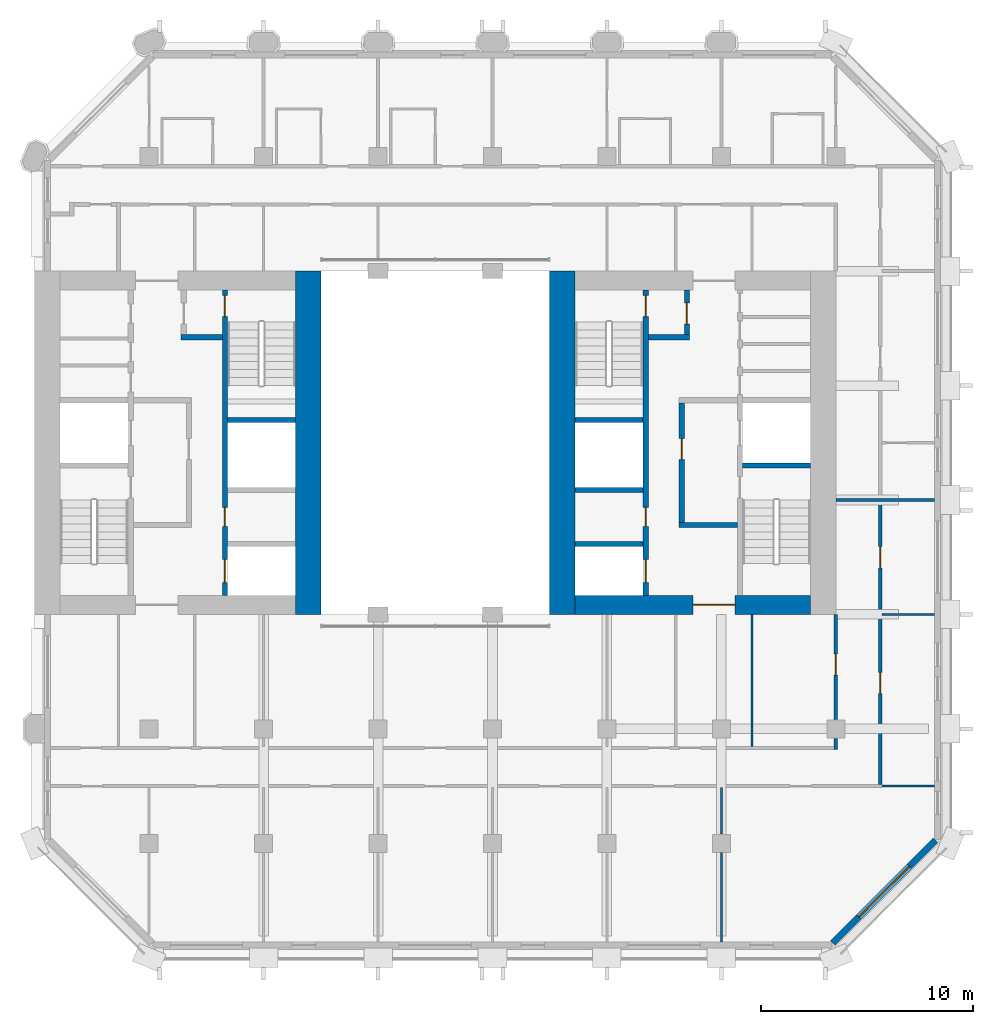
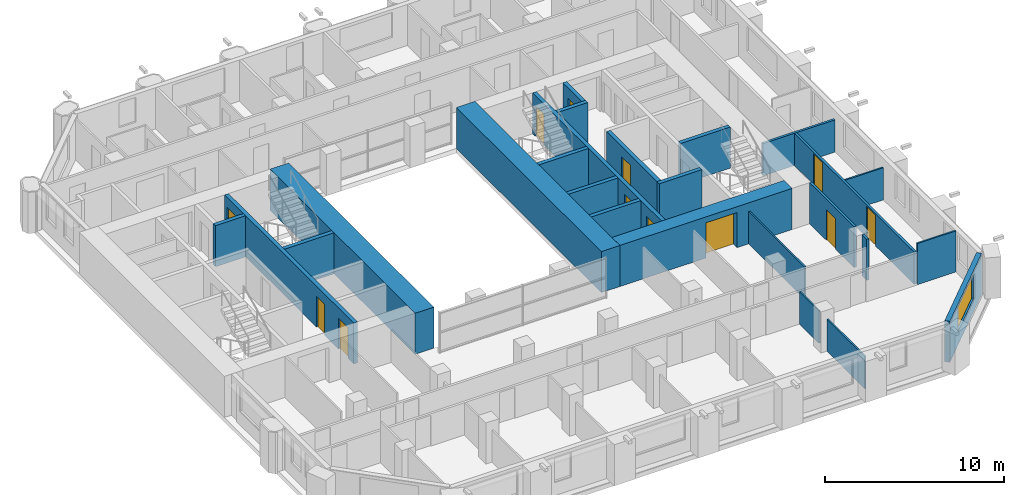
# One storey, part 7 of 12: 25 walls, 12 doors, 1 window, 13 openings.
"""IFC4 building model written with IfcOpenShell, lengths in metres."""

from ifc_helpers import new_model, si_unit, direction, frame, frame_2d, origin, place, context, subcontext, project, spatial, rectangle, extrude, material, layer, layer_set, type_object, element, fill, save


model = new_model("IFC4")

# Units and contexts
model_context = context("Model", 3, precision=1e-05, world=origin(), true_north=direction((0.0, 1.0)))
body_context = subcontext(model_context, "Body", "Model", "MODEL_VIEW")
ifc_project = project(units=[si_unit("LENGTHUNIT", "METRE"), si_unit("AREAUNIT", "SQUARE_METRE"), si_unit("VOLUMEUNIT", "CUBIC_METRE"), si_unit("PLANEANGLEUNIT", "RADIAN"), si_unit("MASSUNIT", "GRAM", prefix="KILO")], contexts=[model_context])

# Site, building, storey
site_placement = place(None, origin())
site = spatial("IfcSite", under=ifc_project, at=site_placement, CompositionType="ELEMENT")
building_placement = place(site_placement, origin())
building = spatial("IfcBuilding", under=site, at=building_placement, Name="Tabaq Tower and Sports Hall", CompositionType="ELEMENT")
storey_placement = place(building_placement, frame((0.0, 0.0, 172.60009765625)))
storey = spatial("IfcBuildingStorey", under=building, at=storey_placement, Name="L41", CompositionType="ELEMENT", Elevation=172.60009765625)

# Walls
ifc_material_1 = material(Name="Concrete C50/60", Category="concrete")
ifc_layer_1 = layer(ifc_material_1, 1.199951171875)
ifc_layer_set_1 = layer_set([ifc_layer_1], Name="Core wall 1200 Concrete C50/60")
wall_type_1 = type_object("IfcWallType", Name="Core wall 1200 Concrete C50/60", PredefinedType="SOLIDWALL", material=ifc_layer_set_1)
for number, where, z_axis, x_axis, name in (
    (1, (18.300048828125, 32.39990234375, 0.0), (0.0, 0.0, 1.0), (0.0, -1.0, 0.0), "Core wall W L41"),
    (2, (30.300048828125, 16.199951171875, 0.0), (0.0, 0.0, 1.0), (0.0, 1.0, 0.0), "Core wall E L41"),
):
    element("IfcWall", number, at=place(storey_placement, frame(where, z_axis=z_axis, x_axis=x_axis)), inside=storey, type_object=wall_type_1, Name=name, PredefinedType="SOLIDWALL", context=body_context, shape_type="SweptSolid", body=[
        extrude(rectangle(XDim=16.199951171875, YDim=1.199951171875, at=frame_2d((8.10009765625, 0.0))), origin(), (0.0, 0.0, 1.0), 2.7998046875),
    ])

# Wall, opening, door
ifc_material_2 = material(Name="Concrete C50/60", Category="concrete")
ifc_layer_2 = layer(ifc_material_2, 0.89990234375)
ifc_layer_set_2 = layer_set([ifc_layer_2], Name="Core wall 900 Concrete C50/60")
wall_type_2 = type_object("IfcWallType", Name="Core wall 900 Concrete C50/60", PredefinedType="SOLIDWALL", material=ifc_layer_set_2)
wall_1_placement = place(storey_placement, frame((42.0, 16.64990234375, 0.0), z_axis=(0.0, 0.0, 1.0), x_axis=(-1.0, 0.0, 0.0)))
wall_1 = element("IfcWall", 3, at=wall_1_placement, inside=storey, type_object=wall_type_2, Name="Core wall E L41", PredefinedType="SOLIDWALL", context=body_context, shape_type="SweptSolid", body=[
    extrude(rectangle(XDim=11.10009765625, YDim=0.89990234375, at=frame_2d((5.550048828125, 0.0))), origin(), (0.0, 0.0, 1.0), 2.7998046875),
])
opening_1_placement = place(wall_1_placement, frame((3.550048828125, 0.0, 0.0)))
opening_1 = element("IfcOpeningElement", 4, at=opening_1_placement, cuts=wall_1, Name="Opening PD-EL41-01", PredefinedType="OPENING", context=body_context, shape_type="SweptSolid", body=[
    extrude(rectangle(XDim=2.0, YDim=2.39990234375, at=frame_2d((1.0, 1.199951171875))), frame((0.0, 0.449951171875, 0.0), z_axis=(0.0, -1.0, 0.0), x_axis=(1.0, 0.0, 0.0)), (0.0, 0.0, 1.0), 0.89990234375),
])
ifc_material_3 = material(Name="Steel fire door", Category="steel")
door_type_1 = type_object("IfcDoorType", Name="Core entrance door 2000", OperationType="DOUBLE_DOOR_SINGLE_SWING", PredefinedType="DOOR", material=ifc_material_3)
door_1_placement = place(opening_1_placement, origin())
door_1 = element("IfcDoor", 5, at=door_1_placement, inside=storey, type_object=door_type_1, Name="Core entrance south E L41", OperationType="DOUBLE_DOOR_SINGLE_SWING", OverallHeight=2.39990234375, OverallWidth=2.0, PredefinedType="DOOR", context=body_context, shape_type="SweptSolid", body=[
    extrude(rectangle(XDim=2.0, YDim=2.39990234375, at=frame_2d((1.0, 1.199951171875))), frame((0.0, 0.02490234375, 0.0), z_axis=(0.0, -1.0, 0.0), x_axis=(1.0, 0.0, 0.0)), (0.0, 0.0, 1.0), 0.050048828125),
])
fill(opening_1, door_1)

# Walls
ifc_material_4 = material(Name="Gypsum board on steel studs", Category="steel")
ifc_layer_3 = layer(ifc_material_4, 0.10009765625)
ifc_layer_set_3 = layer_set([ifc_layer_3], Name="Partition 100 Gypsum board")
wall_type_3 = type_object("IfcWallType", Name="Partition 100 Gypsum board", PredefinedType="PARTITIONING", material=ifc_layer_set_3)
wall_2_placement = place(storey_placement, frame((45.375, 8.10009765625, 0.0), z_axis=(0.0, 0.0, 1.0), x_axis=(1.0, 0.0, 0.0)))
element("IfcWall", 6, at=wall_2_placement, inside=storey, type_object=wall_type_3, Name="Partition wall L41", PredefinedType="PARTITIONING", context=body_context, shape_type="SweptSolid", body=[
    extrude(rectangle(XDim=2.47412109375, YDim=0.10009765625, at=frame_2d((1.237060546875, 0.0))), origin(), (0.0, 0.0, 1.0), 2.7998046875),
])
wall_3_placement = place(storey_placement, frame((47.84912109375, 16.199951171875, 0.0), z_axis=(0.0, 0.0, 1.0), x_axis=(-1.0, 0.0, 0.0)))
element("IfcWall", 7, at=wall_3_placement, inside=storey, type_object=wall_type_3, Name="Partition wall L41", PredefinedType="PARTITIONING", context=body_context, shape_type="SweptSolid", body=[
    extrude(rectangle(XDim=2.47412109375, YDim=0.10009765625, at=frame_2d((1.237060546875, 0.0))), origin(), (0.0, 0.0, 1.0), 2.199951171875),
])
wall_4_placement = place(storey_placement, frame((37.800048828125, 0.7509765625, 0.0), z_axis=(0.0, 0.0, 1.0), x_axis=(0.0, 1.0, 0.0)))
element("IfcWall", 8, at=wall_4_placement, inside=storey, type_object=wall_type_3, Name="Partition wall L41", PredefinedType="PARTITIONING", context=body_context, shape_type="SweptSolid", body=[
    extrude(rectangle(XDim=4.2041015625, YDim=0.10009765625, at=frame_2d((2.10205078125, 0.0))), origin(), (0.0, 0.0, 1.0), 2.199951171875),
])
wall_5_placement = place(storey_placement, frame((37.800048828125, 5.844970703125, 0.0), z_axis=(0.0, 0.0, 1.0), x_axis=(0.0, 1.0, 0.0)))
element("IfcWall", 9, at=wall_5_placement, inside=storey, type_object=wall_type_3, Name="Partition wall L41", PredefinedType="PARTITIONING", context=body_context, shape_type="SweptSolid", body=[
    extrude(rectangle(XDim=2.179931640625, YDim=0.10009765625, at=frame_2d((1.08984375, 0.0))), origin(), (0.0, 0.0, 1.0), 2.199951171875),
])
wall_6_placement = place(storey_placement, frame((39.25, 9.97509765625, 0.0), z_axis=(0.0, 0.0, 1.0), x_axis=(0.0, 1.0, 0.0)))
element("IfcWall", 10, at=wall_6_placement, inside=storey, type_object=wall_type_3, Name="Partition wall L41", PredefinedType="PARTITIONING", context=body_context, shape_type="SweptSolid", body=[
    extrude(rectangle(XDim=6.224853515625, YDim=0.10009765625, at=frame_2d((3.1123046875, 0.0))), origin(), (0.0, 0.0, 1.0), 2.199951171875),
])
ifc_material_5 = material(Name="Blockwork", Category="masonry")
ifc_layer_4 = layer(ifc_material_5, 0.14990234375)
ifc_layer_set_4 = layer_set([ifc_layer_4], Name="Separating wall 150 Blockwork")
wall_type_4 = type_object("IfcWallType", Name="Separating wall 150 Blockwork", PredefinedType="PARTITIONING", material=ifc_layer_set_4)
wall_7_placement = place(storey_placement, frame((43.199951171875, 21.60009765625, 0.0), z_axis=(0.0, 0.0, 1.0), x_axis=(1.0, 0.0, 0.0)))
element("IfcWall", 11, at=wall_7_placement, inside=storey, type_object=wall_type_4, Name="Separating wall L41", PredefinedType="PARTITIONING", context=body_context, shape_type="SweptSolid", body=[
    extrude(rectangle(XDim=4.649169921875, YDim=0.14990234375, at=frame_2d((2.32470703125, 0.0))), origin(), (0.0, 0.0, 1.0), 2.199951171875),
])

# Wall, openings, doors
wall_8_placement = place(storey_placement, frame((45.300048828125, 21.52490234375, 0.0), z_axis=(0.0, 0.0, 1.0), x_axis=(0.0, -1.0, 0.0)))
wall_8 = element("IfcWall", 12, at=wall_8_placement, inside=storey, type_object=wall_type_4, Name="Separating wall L41", PredefinedType="PARTITIONING", context=body_context, shape_type="SweptSolid", body=[
    extrude(rectangle(XDim=13.349853515625, YDim=0.14990234375, at=frame_2d((6.6748046875, 0.0))), origin(), (0.0, 0.0, 1.0), 2.199951171875),
])
opening_2_placement = place(wall_8_placement, frame((8.06298828125, 0.0, 0.0)))
opening_2 = element("IfcOpeningElement", 13, at=opening_2_placement, cuts=wall_8, Name="Opening L41-014", PredefinedType="OPENING", context=body_context, shape_type="SweptSolid", body=[
    extrude(rectangle(XDim=1.0, YDim=2.10009765625, at=frame_2d((0.5, 1.050048828125))), frame((0.0, 0.074951171875, 0.0), z_axis=(0.0, -1.0, 0.0), x_axis=(1.0, 0.0, 0.0)), (0.0, 0.0, 1.0), 0.14990234375),
])
opening_3_placement = place(wall_8_placement, frame((2.125, 0.0, 0.0)))
opening_3 = element("IfcOpeningElement", 14, at=opening_3_placement, cuts=wall_8, Name="Opening L41-023", PredefinedType="OPENING", context=body_context, shape_type="SweptSolid", body=[
    extrude(rectangle(XDim=1.0, YDim=2.10009765625, at=frame_2d((0.5, 1.050048828125))), frame((0.0, 0.074951171875, 0.0), z_axis=(0.0, -1.0, 0.0), x_axis=(1.0, 0.0, 0.0)), (0.0, 0.0, 1.0), 0.14990234375),
])
ifc_material_6 = material(Name="Timber leaf in steel frame", Category="steel")
door_type_2 = type_object("IfcDoorType", Name="Internal door 1000 left hand", OperationType="SINGLE_SWING_LEFT", PredefinedType="DOOR", material=ifc_material_6)
door_2_placement = place(opening_2_placement, origin())
door_2 = element("IfcDoor", 15, at=door_2_placement, inside=storey, type_object=door_type_2, Name="Internal door L41-014", OperationType="SINGLE_SWING_LEFT", OverallHeight=2.10009765625, OverallWidth=1.0, PredefinedType="DOOR", context=body_context, shape_type="SweptSolid", body=[
    extrude(rectangle(XDim=1.0, YDim=2.10009765625, at=frame_2d((0.5, 1.050048828125))), frame((0.0, 0.02490234375, 0.0), z_axis=(0.0, -1.0, 0.0), x_axis=(1.0, 0.0, 0.0)), (0.0, 0.0, 1.0), 0.050048828125),
])
fill(opening_2, door_2)
ifc_material_7 = material(Name="Timber leaf in steel frame", Category="steel")
door_type_3 = type_object("IfcDoorType", Name="Internal door 1000 right hand", OperationType="SINGLE_SWING_RIGHT", PredefinedType="DOOR", material=ifc_material_7)
door_3_placement = place(opening_3_placement, origin())
door_3 = element("IfcDoor", 16, at=door_3_placement, inside=storey, type_object=door_type_3, Name="Internal door L41-023", OperationType="SINGLE_SWING_RIGHT", OverallHeight=2.10009765625, OverallWidth=1.0, PredefinedType="DOOR", context=body_context, shape_type="SweptSolid", body=[
    extrude(rectangle(XDim=1.0, YDim=2.10009765625, at=frame_2d((0.5, 1.050048828125))), frame((0.0, 0.02490234375, 0.0), z_axis=(0.0, -1.0, 0.0), x_axis=(1.0, 0.0, 0.0)), (0.0, 0.0, 1.0), 0.050048828125),
])
fill(opening_3, door_3)

# Wall, opening, door
wall_9_placement = place(storey_placement, frame((43.199951171875, 16.199951171875, 0.0), z_axis=(0.0, 0.0, 1.0), x_axis=(0.0, -1.0, 0.0)))
wall_9 = element("IfcWall", 17, at=wall_9_placement, inside=storey, type_object=wall_type_4, Name="Separating wall L41", PredefinedType="PARTITIONING", context=body_context, shape_type="SweptSolid", body=[
    extrude(rectangle(XDim=4.954833984375, YDim=0.14990234375, at=frame_2d((2.4775390625, 0.0))), origin(), (0.0, 0.0, 1.0), 2.7998046875),
])
opening_4_placement = place(wall_9_placement, frame((1.866943359375, 0.0, 0.0)))
opening_4 = element("IfcOpeningElement", 18, at=opening_4_placement, cuts=wall_9, Name="Opening L41-026", PredefinedType="OPENING", context=body_context, shape_type="SweptSolid", body=[
    extrude(rectangle(XDim=1.0, YDim=2.10009765625, at=frame_2d((0.5, 1.050048828125))), frame((0.0, 0.074951171875, 0.0), z_axis=(0.0, -1.0, 0.0), x_axis=(1.0, 0.0, 0.0)), (0.0, 0.0, 1.0), 0.14990234375),
])
door_4_placement = place(opening_4_placement, origin())
door_4 = element("IfcDoor", 19, at=door_4_placement, inside=storey, type_object=door_type_3, Name="Internal door L41-026", OperationType="SINGLE_SWING_RIGHT", OverallHeight=2.10009765625, OverallWidth=1.0, PredefinedType="DOOR", context=body_context, shape_type="SweptSolid", body=[
    extrude(rectangle(XDim=1.0, YDim=2.10009765625, at=frame_2d((0.5, 1.050048828125))), frame((0.0, 0.02490234375, 0.0), z_axis=(0.0, -1.0, 0.0), x_axis=(1.0, 0.0, 0.0)), (0.0, 0.0, 1.0), 0.050048828125),
])
fill(opening_4, door_4)

# Wall
wall_10_placement = place(storey_placement, frame((43.199951171875, 10.35498046875, 0.0), z_axis=(0.0, 0.0, 1.0), x_axis=(0.0, -1.0, 0.0)))
element("IfcWall", 20, at=wall_10_placement, inside=storey, type_object=wall_type_4, Name="Separating wall L41", PredefinedType="PARTITIONING", context=body_context, shape_type="SweptSolid", body=[
    extrude(rectangle(XDim=0.530029296875, YDim=0.14990234375, at=frame_2d((0.26513671875, 0.0))), origin(), (0.0, 0.0, 1.0), 2.7998046875),
])

# Wall, openings, doors
ifc_material_8 = material(Name="Concrete C40/50", Category="concrete")
ifc_layer_5 = layer(ifc_material_8, 0.25)
ifc_layer_set_5 = layer_set([ifc_layer_5], Name="Shaft and stair wall 250 Concrete C40/50")
wall_type_5 = type_object("IfcWallType", Name="Shaft and stair wall 250 Concrete C40/50", PredefinedType="SOLIDWALL", material=ifc_layer_set_5)
wall_11_placement = place(storey_placement, frame((14.375, 17.10009765625, 0.0), z_axis=(0.0, 0.0, 1.0), x_axis=(0.0, 1.0, 0.0)))
wall_11 = element("IfcWall", 21, at=wall_11_placement, inside=storey, type_object=wall_type_5, Name="Shaft wall W L41", PredefinedType="SOLIDWALL", context=body_context, shape_type="SweptSolid", body=[
    extrude(rectangle(XDim=14.39990234375, YDim=0.25, at=frame_2d((7.199951171875, 0.0))), origin(), (0.0, 0.0, 1.0), 2.7998046875),
])
opening_5_placement = place(wall_11_placement, frame((13.14990234375, 0.0, 0.0)))
opening_5 = element("IfcOpeningElement", 22, at=opening_5_placement, cuts=wall_11, Name="Opening SD-WL41-05", PredefinedType="OPENING", context=body_context, shape_type="SweptSolid", body=[
    extrude(rectangle(XDim=1.0, YDim=2.10009765625, at=frame_2d((0.5, 1.050048828125))), frame((0.0, 0.125, 0.0), z_axis=(0.0, -1.0, 0.0), x_axis=(1.0, 0.0, 0.0)), (0.0, 0.0, 1.0), 0.25),
])
opening_6_placement = place(wall_11_placement, frame((0.60009765625, 0.0, 0.0)))
opening_6 = element("IfcOpeningElement", 23, at=opening_6_placement, cuts=wall_11, Name="Opening LD-MR1-L41", PredefinedType="OPENING", context=body_context, shape_type="SweptSolid", body=[
    extrude(rectangle(XDim=1.10009765625, YDim=2.10009765625, at=frame_2d((0.550048828125, 1.050048828125))), frame((0.0, 0.125, 0.0), z_axis=(0.0, -1.0, 0.0), x_axis=(1.0, 0.0, 0.0)), (0.0, 0.0, 1.0), 0.25),
])
opening_7_placement = place(wall_11_placement, frame((3.25, 0.0, 0.0)))
opening_7 = element("IfcOpeningElement", 24, at=opening_7_placement, cuts=wall_11, Name="Opening RD-WL41-12", PredefinedType="OPENING", context=body_context, shape_type="SweptSolid", body=[
    extrude(rectangle(XDim=0.89990234375, YDim=2.10009765625, at=frame_2d((0.449951171875, 1.050048828125))), frame((0.0, 0.125, 0.0), z_axis=(0.0, -1.0, 0.0), x_axis=(1.0, 0.0, 0.0)), (0.0, 0.0, 1.0), 0.25),
])
ifc_material_9 = material(Name="Steel fire door", Category="steel")
door_type_4 = type_object("IfcDoorType", Name="Core room door 900", OperationType="SINGLE_SWING_LEFT", PredefinedType="DOOR", material=ifc_material_9)
door_5_placement = place(opening_7_placement, origin())
door_5 = element("IfcDoor", 25, at=door_5_placement, inside=storey, type_object=door_type_4, Name="Door Cleaner's Store W L41", OperationType="SINGLE_SWING_LEFT", OverallHeight=2.10009765625, OverallWidth=0.89990234375, PredefinedType="DOOR", context=body_context, shape_type="SweptSolid", body=[
    extrude(rectangle(XDim=0.89990234375, YDim=2.10009765625, at=frame_2d((0.449951171875, 1.050048828125))), frame((0.0, 0.02490234375, 0.0), z_axis=(0.0, -1.0, 0.0), x_axis=(1.0, 0.0, 0.0)), (0.0, 0.0, 1.0), 0.050048828125),
])
fill(opening_7, door_5)
ifc_material_10 = material(Name="Stainless steel", Category="steel")
door_type_5 = type_object("IfcDoorType", Name="Lift landing door 1100", OperationType="DOUBLE_DOOR_SLIDING", PredefinedType="DOOR", material=ifc_material_10)
door_6_placement = place(opening_6_placement, origin())
door_6 = element("IfcDoor", 26, at=door_6_placement, inside=storey, type_object=door_type_5, Name="Lift landing door MR1 W L41", OperationType="DOUBLE_DOOR_SLIDING", OverallHeight=2.10009765625, OverallWidth=1.10009765625, PredefinedType="DOOR", context=body_context, shape_type="SweptSolid", body=[
    extrude(rectangle(XDim=1.10009765625, YDim=2.10009765625, at=frame_2d((0.550048828125, 1.050048828125))), frame((0.0, 0.02490234375, 0.0), z_axis=(0.0, -1.0, 0.0), x_axis=(1.0, 0.0, 0.0)), (0.0, 0.0, 1.0), 0.050048828125),
])
fill(opening_6, door_6)
ifc_material_11 = material(Name="Steel fire door", Category="steel")
door_type_6 = type_object("IfcDoorType", Name="Stair door 1000", OperationType="SINGLE_SWING_LEFT", PredefinedType="DOOR", material=ifc_material_11)
door_7_placement = place(opening_5_placement, origin())
door_7 = element("IfcDoor", 27, at=door_7_placement, inside=storey, type_object=door_type_6, Name="Stair door ST2 W L41", OperationType="SINGLE_SWING_LEFT", OverallHeight=2.10009765625, OverallWidth=1.0, PredefinedType="DOOR", context=body_context, shape_type="SweptSolid", body=[
    extrude(rectangle(XDim=1.0, YDim=2.10009765625, at=frame_2d((0.5, 1.050048828125))), frame((0.0, 0.02490234375, 0.0), z_axis=(0.0, -1.0, 0.0), x_axis=(1.0, 0.0, 0.0)), (0.0, 0.0, 1.0), 0.050048828125),
])
fill(opening_5, door_7)

# Walls
wall_12_placement = place(storey_placement, frame((14.5, 25.375, 0.0), z_axis=(0.0, 0.0, 1.0), x_axis=(1.0, 0.0, 0.0)))
element("IfcWall", 28, at=wall_12_placement, inside=storey, type_object=wall_type_5, Name="Stair enclosure wall W L41", PredefinedType="SOLIDWALL", context=body_context, shape_type="SweptSolid", body=[
    extrude(rectangle(XDim=3.199951171875, YDim=0.25, at=frame_2d((1.60009765625, 0.0))), origin(), (0.0, 0.0, 1.0), 2.7998046875),
])
wall_13_placement = place(storey_placement, frame((12.300048828125, 29.27490234375, 0.0), z_axis=(0.0, 0.0, 1.0), x_axis=(1.0, 0.0, 0.0)))
element("IfcWall", 29, at=wall_13_placement, inside=storey, type_object=wall_type_5, Name="Fire-fighting lobby wall W L41", PredefinedType="SOLIDWALL", context=body_context, shape_type="SweptSolid", body=[
    extrude(rectangle(XDim=1.949951171875, YDim=0.25, at=frame_2d((0.97509765625, 0.0))), origin(), (0.0, 0.0, 1.0), 2.7998046875),
])

# Wall, openings, doors
wall_14_placement = place(storey_placement, frame((34.22509765625, 17.10009765625, 0.0), z_axis=(0.0, 0.0, 1.0), x_axis=(0.0, 1.0, 0.0)))
wall_14 = element("IfcWall", 30, at=wall_14_placement, inside=storey, type_object=wall_type_5, Name="Shaft wall E L41", PredefinedType="SOLIDWALL", context=body_context, shape_type="SweptSolid", body=[
    extrude(rectangle(XDim=14.39990234375, YDim=0.25, at=frame_2d((7.199951171875, 0.0))), origin(), (0.0, 0.0, 1.0), 2.7998046875),
])
opening_8_placement = place(wall_14_placement, frame((13.14990234375, 0.0, 0.0)))
opening_8 = element("IfcOpeningElement", 31, at=opening_8_placement, cuts=wall_14, Name="Opening SD-EL41-05", PredefinedType="OPENING", context=body_context, shape_type="SweptSolid", body=[
    extrude(rectangle(XDim=1.0, YDim=2.10009765625, at=frame_2d((0.5, 1.050048828125))), frame((0.0, 0.125, 0.0), z_axis=(0.0, -1.0, 0.0), x_axis=(1.0, 0.0, 0.0)), (0.0, 0.0, 1.0), 0.25),
])
opening_9_placement = place(wall_14_placement, frame((0.60009765625, 0.0, 0.0)))
opening_9 = element("IfcOpeningElement", 32, at=opening_9_placement, cuts=wall_14, Name="Opening LD-MR2-L41", PredefinedType="OPENING", context=body_context, shape_type="SweptSolid", body=[
    extrude(rectangle(XDim=1.10009765625, YDim=2.10009765625, at=frame_2d((0.550048828125, 1.050048828125))), frame((0.0, 0.125, 0.0), z_axis=(0.0, -1.0, 0.0), x_axis=(1.0, 0.0, 0.0)), (0.0, 0.0, 1.0), 0.25),
])
opening_10_placement = place(wall_14_placement, frame((3.25, 0.0, 0.0)))
opening_10 = element("IfcOpeningElement", 33, at=opening_10_placement, cuts=wall_14, Name="Opening RD-EL41-13", PredefinedType="OPENING", context=body_context, shape_type="SweptSolid", body=[
    extrude(rectangle(XDim=0.89990234375, YDim=2.10009765625, at=frame_2d((0.449951171875, 1.050048828125))), frame((0.0, 0.125, 0.0), z_axis=(0.0, -1.0, 0.0), x_axis=(1.0, 0.0, 0.0)), (0.0, 0.0, 1.0), 0.25),
])
door_8_placement = place(opening_10_placement, origin())
door_8 = element("IfcDoor", 34, at=door_8_placement, inside=storey, type_object=door_type_4, Name="Door Cleaner's Store E L41", OperationType="SINGLE_SWING_LEFT", OverallHeight=2.10009765625, OverallWidth=0.89990234375, PredefinedType="DOOR", context=body_context, shape_type="SweptSolid", body=[
    extrude(rectangle(XDim=0.89990234375, YDim=2.10009765625, at=frame_2d((0.449951171875, 1.050048828125))), frame((0.0, 0.02490234375, 0.0), z_axis=(0.0, -1.0, 0.0), x_axis=(1.0, 0.0, 0.0)), (0.0, 0.0, 1.0), 0.050048828125),
])
fill(opening_10, door_8)
door_9_placement = place(opening_9_placement, origin())
door_9 = element("IfcDoor", 35, at=door_9_placement, inside=storey, type_object=door_type_5, Name="Lift landing door MR2 E L41", OperationType="DOUBLE_DOOR_SLIDING", OverallHeight=2.10009765625, OverallWidth=1.10009765625, PredefinedType="DOOR", context=body_context, shape_type="SweptSolid", body=[
    extrude(rectangle(XDim=1.10009765625, YDim=2.10009765625, at=frame_2d((0.550048828125, 1.050048828125))), frame((0.0, 0.02490234375, 0.0), z_axis=(0.0, -1.0, 0.0), x_axis=(1.0, 0.0, 0.0)), (0.0, 0.0, 1.0), 0.050048828125),
])
fill(opening_9, door_9)
door_10_placement = place(opening_8_placement, origin())
door_10 = element("IfcDoor", 36, at=door_10_placement, inside=storey, type_object=door_type_6, Name="Stair door ST4 E L41", OperationType="SINGLE_SWING_LEFT", OverallHeight=2.10009765625, OverallWidth=1.0, PredefinedType="DOOR", context=body_context, shape_type="SweptSolid", body=[
    extrude(rectangle(XDim=1.0, YDim=2.10009765625, at=frame_2d((0.5, 1.050048828125))), frame((0.0, 0.02490234375, 0.0), z_axis=(0.0, -1.0, 0.0), x_axis=(1.0, 0.0, 0.0)), (0.0, 0.0, 1.0), 0.050048828125),
])
fill(opening_8, door_10)

# Walls
wall_15_placement = place(storey_placement, frame((38.800048828125, 23.22509765625, 0.0), z_axis=(0.0, 0.0, 1.0), x_axis=(1.0, 0.0, 0.0)))
element("IfcWall", 37, at=wall_15_placement, inside=storey, type_object=wall_type_5, Name="Stair enclosure wall E L41", PredefinedType="SOLIDWALL", context=body_context, shape_type="SweptSolid", body=[
    extrude(rectangle(XDim=3.199951171875, YDim=0.25, at=frame_2d((1.60009765625, 0.0))), origin(), (0.0, 0.0, 1.0), 2.7998046875),
])
for number, where, z_axis, x_axis, name in (
    (38, (30.89990234375, 25.375, 0.0), (0.0, 0.0, 1.0), (1.0, 0.0, 0.0), "Stair enclosure wall E L41"),
    (39, (30.89990234375, 22.074951171875, 0.0), (0.0, 0.0, 1.0), (1.0, 0.0, 0.0), "Shaft wall E L41"),
):
    element("IfcWall", number, at=place(storey_placement, frame(where, z_axis=z_axis, x_axis=x_axis)), inside=storey, type_object=wall_type_5, Name=name, PredefinedType="SOLIDWALL", context=body_context, shape_type="SweptSolid", body=[
        extrude(rectangle(XDim=3.2001953125, YDim=0.25, at=frame_2d((1.60009765625, 0.0))), origin(), (0.0, 0.0, 1.0), 2.7998046875),
    ])
wall_16_placement = place(storey_placement, frame((35.800048828125, 20.425048828125, 0.0), z_axis=(0.0, 0.0, 1.0), x_axis=(1.0, 0.0, 0.0)))
element("IfcWall", 40, at=wall_16_placement, inside=storey, type_object=wall_type_5, Name="Fire-fighting lobby wall E L41", PredefinedType="SOLIDWALL", context=body_context, shape_type="SweptSolid", body=[
    extrude(rectangle(XDim=2.75, YDim=0.25, at=frame_2d((1.375, 0.0))), origin(), (0.0, 0.0, 1.0), 2.7998046875),
])

# Wall, opening, door
wall_17_placement = place(storey_placement, frame((36.175048828125, 29.39990234375, 0.0), z_axis=(0.0, 0.0, 1.0), x_axis=(0.0, 1.0, 0.0)))
wall_17 = element("IfcWall", 41, at=wall_17_placement, inside=storey, type_object=wall_type_5, Name="Fire-fighting lobby wall E L41", PredefinedType="SOLIDWALL", context=body_context, shape_type="SweptSolid", body=[
    extrude(rectangle(XDim=2.10009765625, YDim=0.25, at=frame_2d((1.050048828125, 0.0))), origin(), (0.0, 0.0, 1.0), 2.7998046875),
])
opening_11_placement = place(wall_17_placement, frame((0.5, 0.0, 0.0)))
opening_11 = element("IfcOpeningElement", 42, at=opening_11_placement, cuts=wall_17, Name="Opening FD-EL41-06", PredefinedType="OPENING", context=body_context, shape_type="SweptSolid", body=[
    extrude(rectangle(XDim=1.0, YDim=2.10009765625, at=frame_2d((0.5, 1.050048828125))), frame((0.0, 0.125, 0.0), z_axis=(0.0, -1.0, 0.0), x_axis=(1.0, 0.0, 0.0)), (0.0, 0.0, 1.0), 0.25),
])
ifc_material_12 = material(Name="Steel fire door", Category="steel")
door_type_7 = type_object("IfcDoorType", Name="Fire-fighting lobby door 1000", OperationType="SINGLE_SWING_LEFT", PredefinedType="DOOR", material=ifc_material_12)
door_11_placement = place(opening_11_placement, origin())
door_11 = element("IfcDoor", 43, at=door_11_placement, inside=storey, type_object=door_type_7, Name="Stair lobby door E L41", OperationType="SINGLE_SWING_LEFT", OverallHeight=2.10009765625, OverallWidth=1.0, PredefinedType="DOOR", context=body_context, shape_type="SweptSolid", body=[
    extrude(rectangle(XDim=1.0, YDim=2.10009765625, at=frame_2d((0.5, 1.050048828125))), frame((0.0, 0.02490234375, 0.0), z_axis=(0.0, -1.0, 0.0), x_axis=(1.0, 0.0, 0.0)), (0.0, 0.0, 1.0), 0.050048828125),
])
fill(opening_11, door_11)

# Wall
wall_18_placement = place(storey_placement, frame((34.35009765625, 29.27490234375, 0.0), z_axis=(0.0, 0.0, 1.0), x_axis=(1.0, 0.0, 0.0)))
element("IfcWall", 44, at=wall_18_placement, inside=storey, type_object=wall_type_5, Name="Fire-fighting lobby wall E L41", PredefinedType="SOLIDWALL", context=body_context, shape_type="SweptSolid", body=[
    extrude(rectangle(XDim=1.949951171875, YDim=0.25, at=frame_2d((0.97509765625, 0.0))), origin(), (0.0, 0.0, 1.0), 2.7998046875),
])

# Wall, opening, door
wall_19_placement = place(storey_placement, frame((35.925048828125, 20.550048828125, 0.0), z_axis=(0.0, 0.0, 1.0), x_axis=(0.0, 1.0, 0.0)))
wall_19 = element("IfcWall", 45, at=wall_19_placement, inside=storey, type_object=wall_type_5, Name="Fire-fighting lobby wall E L41", PredefinedType="SOLIDWALL", context=body_context, shape_type="SweptSolid", body=[
    extrude(rectangle(XDim=5.625, YDim=0.25, at=frame_2d((2.8125, 0.0))), origin(), (0.0, 0.0, 1.0), 2.7998046875),
])
opening_12_placement = place(wall_19_placement, frame((2.949951171875, 0.0, 0.0)))
opening_12 = element("IfcOpeningElement", 46, at=opening_12_placement, cuts=wall_19, Name="Opening FD-EL41-04", PredefinedType="OPENING", context=body_context, shape_type="SweptSolid", body=[
    extrude(rectangle(XDim=1.0, YDim=2.10009765625, at=frame_2d((0.5, 1.050048828125))), frame((0.0, 0.125, 0.0), z_axis=(0.0, -1.0, 0.0), x_axis=(1.0, 0.0, 0.0)), (0.0, 0.0, 1.0), 0.25),
])
door_12_placement = place(opening_12_placement, origin())
door_12 = element("IfcDoor", 47, at=door_12_placement, inside=storey, type_object=door_type_7, Name="Fire-fighting lobby door E L41", OperationType="SINGLE_SWING_LEFT", OverallHeight=2.10009765625, OverallWidth=1.0, PredefinedType="DOOR", context=body_context, shape_type="SweptSolid", body=[
    extrude(rectangle(XDim=1.0, YDim=2.10009765625, at=frame_2d((0.5, 1.050048828125))), frame((0.0, 0.02490234375, 0.0), z_axis=(0.0, -1.0, 0.0), x_axis=(1.0, 0.0, 0.0)), (0.0, 0.0, 1.0), 0.050048828125),
])
fill(opening_12, door_12)

# Wall
wall_20_placement = place(storey_placement, frame((30.89990234375, 19.52490234375, 0.0), z_axis=(0.0, 0.0, 1.0), x_axis=(1.0, 0.0, 0.0)))
element("IfcWall", 48, at=wall_20_placement, inside=storey, type_object=wall_type_5, Name="Shaft wall E L41", PredefinedType="SOLIDWALL", context=body_context, shape_type="SweptSolid", body=[
    extrude(rectangle(XDim=3.2001953125, YDim=0.25, at=frame_2d((1.60009765625, 0.0))), origin(), (0.0, 0.0, 1.0), 2.7998046875),
])

# Wall, opening, window
ifc_material_13 = material(Name="White precast concrete C60/75", Category="concrete")
ifc_layer_6 = layer(ifc_material_13, 0.300048828125)
ifc_layer_set_6 = layer_set([ifc_layer_6], Name="White precast concrete C60/75 external wall 300")
wall_type_6 = type_object("IfcWallType", Name="White precast concrete C60/75 external wall 300", PredefinedType="SOLIDWALL", material=ifc_layer_set_6)
wall_21_placement = place(storey_placement, frame((43.050537109375, 0.698974609375, 0.0), z_axis=(0.0, 0.0, 1.0), x_axis=(0.707106781187, 0.707106781187, 0.0)))
wall_21 = element("IfcWall", 49, at=wall_21_placement, inside=storey, type_object=wall_type_6, Name="External Wall L41 SE", PredefinedType="SOLIDWALL", context=body_context, shape_type="SweptSolid", body=[
    extrude(rectangle(XDim=6.85986328125, YDim=0.300048828125, at=frame_2d((3.429931640625, 0.0))), origin(), (0.0, 0.0, 1.0), 2.7998046875),
])
opening_13_placement = place(wall_21_placement, frame((1.729736328125, 0.0, 0.89990234375)))
opening_13 = element("IfcOpeningElement", 50, at=opening_13_placement, cuts=wall_21, Name="Opening W1A", PredefinedType="OPENING", context=body_context, shape_type="SweptSolid", body=[
    extrude(rectangle(XDim=3.39990234375, YDim=1.699951171875, at=frame_2d((1.699951171875, 0.85009765625))), frame((0.0, 0.16015625, 0.0), z_axis=(0.0, -1.0, 0.0), x_axis=(1.0, 0.0, 0.0)), (0.0, 0.0, 1.0), 0.320068359375),
])
ifc_material_14 = material(Name="Aluminium framed clear glazing", Category="aluminium")
window_type = type_object("IfcWindowType", Name="Window W1A", PartitioningType="SINGLE_PANEL", PredefinedType="WINDOW", material=ifc_material_14)
window_placement = place(opening_13_placement, origin())
window = element("IfcWindow", 51, at=window_placement, inside=storey, type_object=window_type, Name="Window W1A L41", OverallHeight=1.699951171875, OverallWidth=3.39990234375, PartitioningType="SINGLE_PANEL", PredefinedType="WINDOW", context=body_context, shape_type="SweptSolid", body=[
    extrude(rectangle(XDim=3.39990234375, YDim=1.699951171875, at=frame_2d((1.699951171875, 0.85009765625))), frame((0.0, 0.030029296875, 0.0), z_axis=(0.0, -1.0, 0.0), x_axis=(1.0, 0.0, 0.0)), (0.0, 0.0, 1.0), 0.06005859375),
])
fill(opening_13, window)

save(model, "model.ifc")
